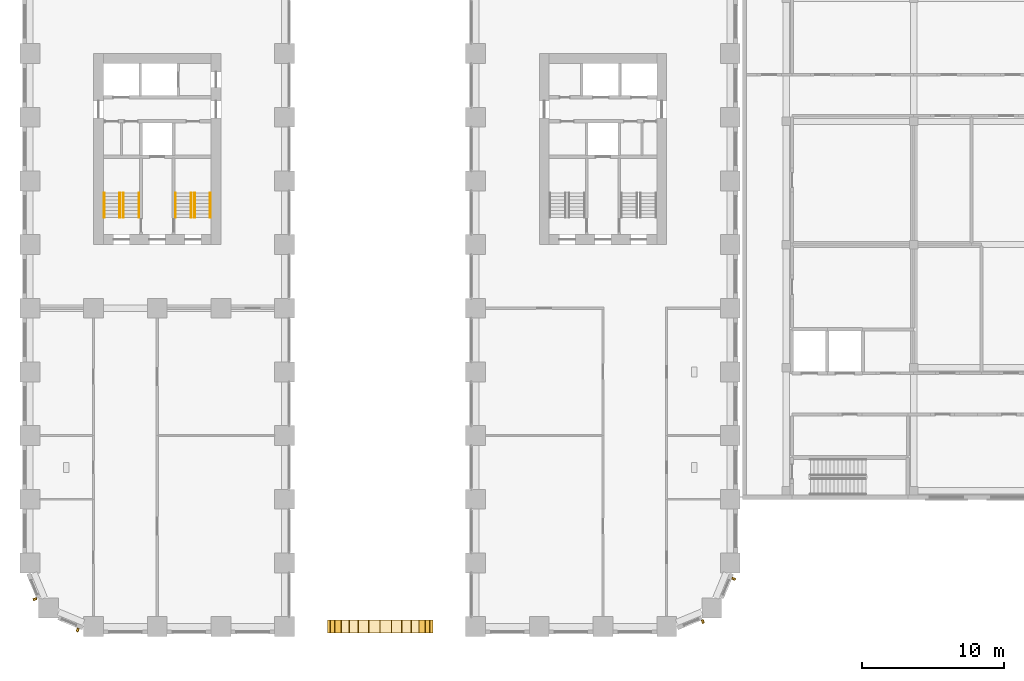
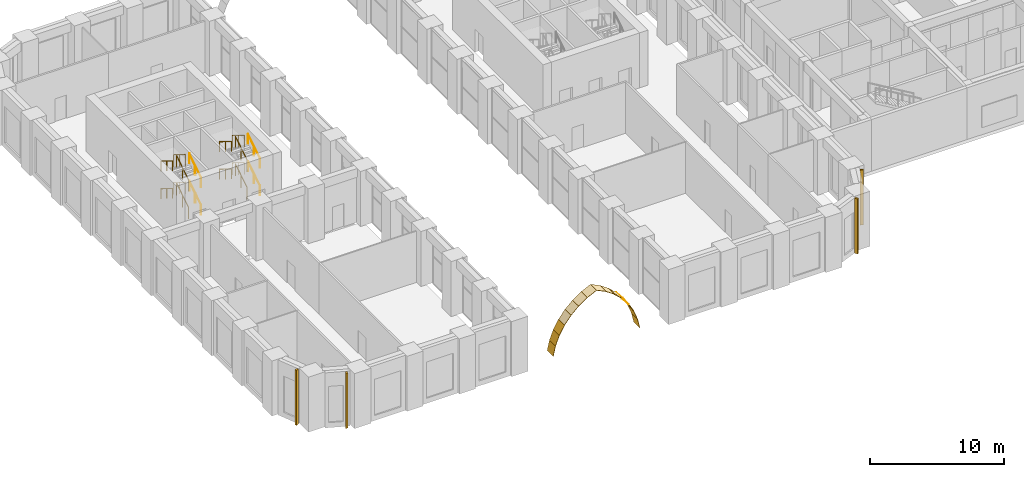
# One storey, part 18 of 24: 16 railings, 14 coverings, 4 shading devices.
"""IFC4 building model written with IfcOpenShell, lengths in metres."""

import ifcopenshell
import ifcopenshell.guid

model = None  # the IFC model being written
_history = None  # IfcOwnerHistory: only IFC2X3 demands one
_inside = {}  # id of a spatial element -> (the spatial element, [elements in it])
_under = {}  # id of a project, library or spatial element -> (it, [spatial elements below it])
_declared = {}  # id of a project -> (the project, [libraries it declares])
_typed = {}  # id of a type object -> (the type object, [elements of that type])
_made_of = {}  # id of a material, layer set ... -> (it, [elements and type objects made of it])


def new_model(schema):
    """Start an empty IFC model of exactly this schema.

    Asked for "IFC4X3", IfcOpenShell would pick the latest addendum, in which some entities
    have other attributes; the version numbers below select the first issue.
    IFC2X3 requires an IfcOwnerHistory on every rooted entity: one is made here for all.
    """
    global model, _history
    if schema == "IFC4X3":
        model = ifcopenshell.file(schema_version=(4, 3, 0, 0))
    else:
        model = ifcopenshell.file(schema=schema)
    _inside.clear()
    _under.clear()
    _declared.clear()
    _typed.clear()
    _made_of.clear()
    _history = None
    if model.schema == "IFC2X3":
        org = make("IfcOrganization", Name="unknown")
        user = make(
            "IfcPersonAndOrganization",
            ThePerson=make("IfcPerson", FamilyName="unknown"),
            TheOrganization=org,
        )
        app = make(
            "IfcApplication",
            ApplicationDeveloper=org,
            Version="unknown",
            ApplicationFullName="unknown",
            ApplicationIdentifier="unknown",
        )
        _history = make(
            "IfcOwnerHistory",
            OwningUser=user,
            OwningApplication=app,
            ChangeAction="ADDED",
            CreationDate=0,
        )
    return model


def make(cls, **values):
    """One entity of the class cls with the attributes given. An attribute that is None is left unset."""
    return model.create_entity(
        cls, **{name: value for name, value in values.items() if value is not None}
    )


def rooted(cls, **values):
    """An entity with a GlobalId (a new one), such as an element, a storey or a relation."""
    return make(cls, GlobalId=ifcopenshell.guid.new(), OwnerHistory=_history, **values)


def si_unit(unit_type, name, prefix=None):
    """IfcSIUnit, for example si_unit("LENGTHUNIT", "METRE", prefix="MILLI")."""
    return make("IfcSIUnit", UnitType=unit_type, Prefix=prefix, Name=name)


def assignment(units):
    """IfcUnitAssignment: the units of a project."""
    return None if units is None else make("IfcUnitAssignment", Units=units)


def point(xyz):
    """IfcCartesianPoint."""
    return None if xyz is None else make("IfcCartesianPoint", Coordinates=xyz)


def direction(xyz):
    """IfcDirection."""
    return None if xyz is None else make("IfcDirection", DirectionRatios=xyz)


def frame(location, z_axis=None, x_axis=None):
    """IfcAxis2Placement3D, a coordinate frame: its origin and axes. An axis left out is left unset."""
    return make(
        "IfcAxis2Placement3D",
        Location=point(location),
        Axis=direction(z_axis),
        RefDirection=direction(x_axis),
    )


def frame_2d(location, x_axis=None):
    """IfcAxis2Placement2D, a coordinate frame in the plane: its origin and x axis."""
    return make(
        "IfcAxis2Placement2D", Location=point(location), RefDirection=direction(x_axis)
    )


def origin():
    """The frame at (0, 0, 0) with its axes left unset."""
    return frame((0.0, 0.0, 0.0))


def origin_2d():
    """The frame at (0, 0) in the plane with its x axis left unset."""
    return frame_2d((0.0, 0.0))


def place(relative_to, where):
    """IfcLocalPlacement: puts the frame where relative to a parent placement (None: the world)."""
    return make(
        "IfcLocalPlacement", PlacementRelTo=relative_to, RelativePlacement=where
    )


def context(
    kind, dimensions, precision=None, world=None, true_north=None, identifier=None
):
    """IfcGeometricRepresentationContext, for example the 3D "Model" context."""
    return make(
        "IfcGeometricRepresentationContext",
        ContextIdentifier=identifier,
        ContextType=kind,
        CoordinateSpaceDimension=dimensions,
        Precision=precision,
        WorldCoordinateSystem=world,
        TrueNorth=true_north,
    )


def subcontext(parent, identifier, kind, view, scale=None):
    """IfcGeometricRepresentationSubContext, for example "Body" below "Model"."""
    return make(
        "IfcGeometricRepresentationSubContext",
        ContextIdentifier=identifier,
        ContextType=kind,
        ParentContext=parent,
        TargetScale=scale,
        TargetView=view,
    )


def project(units=None, contexts=None):
    """IfcProject with its units and contexts."""
    return rooted(
        "IfcProject",
        Name="project",
        RepresentationContexts=contexts,
        UnitsInContext=assignment(units),
    )


def spatial(cls, under=None, at=None, **own):
    """A site, building, storey or space (cls), placed at a placement, below another one or the project."""
    s = rooted(cls, ObjectPlacement=at, **own)
    if under is not None:
        _under.setdefault(under.id(), (under, []))[1].append(s)
    return s


def polyline(points):
    """IfcPolyline through the points."""
    return make("IfcPolyline", Points=[point(p) for p in points])


def profile(cls, at=None, kind="AREA", **sizes):
    """A parametric profile (cls). Its sizes go by their IFC names, for example OverallWidth=200.0."""
    return make(cls, ProfileType=kind, Position=at, **sizes)


def rectangle(**sizes):
    """IfcRectangleProfileDef."""
    return profile("IfcRectangleProfileDef", **sizes)


def circle(**sizes):
    """IfcCircleProfileDef."""
    return profile("IfcCircleProfileDef", **sizes)


def outline(outer, holes=None, kind="AREA"):
    """IfcArbitraryClosedProfileDef: a profile drawn as a closed curve; with holes, ...WithVoids."""
    if holes is None:
        return make("IfcArbitraryClosedProfileDef", ProfileType=kind, OuterCurve=outer)
    return make(
        "IfcArbitraryProfileDefWithVoids",
        ProfileType=kind,
        OuterCurve=outer,
        InnerCurves=holes,
    )


def extrude(swept, where, along, depth):
    """IfcExtrudedAreaSolid: the profile swept, set in the frame where, extruded along a direction by depth."""
    return make(
        "IfcExtrudedAreaSolid",
        SweptArea=swept,
        Position=where,
        ExtrudedDirection=direction(along),
        Depth=depth,
    )


def shape(context_of_items, identifier, shape_type, items):
    """IfcShapeRepresentation: the items that make up one representation, for example the "Body"."""
    return make(
        "IfcShapeRepresentation",
        ContextOfItems=context_of_items,
        RepresentationIdentifier=identifier,
        RepresentationType=shape_type,
        Items=items,
    )


def material(Name=None, Category=None):
    """IfcMaterial."""
    return make("IfcMaterial", Name=Name, Category=Category)


def layer(
    of_material, thickness, ventilated=None, Name=None, Category=None, Priority=None
):
    """IfcMaterialLayer: one layer of a wall or slab, of a material (None: an air gap)."""
    return make(
        "IfcMaterialLayer",
        Material=of_material,
        LayerThickness=thickness,
        IsVentilated=ventilated,
        Name=Name,
        Category=Category,
        Priority=Priority,
    )


def layer_set(layers, Name=None):
    """IfcMaterialLayerSet."""
    return make("IfcMaterialLayerSet", MaterialLayers=layers, LayerSetName=Name)


def made_of(thing, what):
    """Note that an element or type object is made of a material, layer set ...; save() writes the relation."""
    if what is not None:
        _made_of.setdefault(what.id(), (what, []))[1].append(thing)
    return thing


def type_object(cls, material=None, **own):
    """A type object (cls), such as IfcWallType, which elements share."""
    return made_of(rooted(cls, **own), material)


def element(
    cls,
    number,
    at=None,
    inside=None,
    cuts=None,
    type_object=None,
    material=None,
    context=None,
    identifier="Body",
    shape_type=None,
    held_by="IfcProductDefinitionShape",
    body=None,
    shapes=None,
    **own,
):
    """One element of the class cls, such as IfcWall. Its Tag is "e" and its number.

    at: its placement. inside: the storey or other place that contains it. cuts: it is an
    opening in that element (IfcRelVoidsElement). A single representation is given by context,
    identifier, shape_type and body (its items); several are given by shapes. held_by: the class
    of the entity that holds the representations. save() writes the other relations.
    """
    e = rooted(cls, Tag="e%d" % number, ObjectPlacement=at, **own)
    if body is not None:
        shapes = [shape(context, identifier, shape_type, body)]
    if shapes is not None:
        e.Representation = make(held_by, Representations=shapes)
    if inside is not None:
        _inside.setdefault(inside.id(), (inside, []))[1].append(e)
    if cuts is not None:
        rooted(
            "IfcRelVoidsElement", RelatingBuildingElement=cuts, RelatedOpeningElement=e
        )
    if type_object is not None:
        _typed.setdefault(type_object.id(), (type_object, []))[1].append(e)
    return made_of(e, material)


def aggregate(whole, parts):
    """IfcRelAggregates: a whole, such as a stair, and the parts it consists of."""
    return rooted("IfcRelAggregates", RelatingObject=whole, RelatedObjects=parts)


def save(model, path):
    """Write the relations noted so far, then the file.

    IfcRelAggregates (storeys below a building ...), IfcRelContainedInSpatialStructure (elements
    in a storey), IfcRelDefinesByType, IfcRelAssociatesMaterial and IfcRelDeclares: one each for
    every whole, place, type object, material and project.
    """
    for whole, parts in _under.values():
        aggregate(whole, parts)
    for where, things in _inside.values():
        rooted(
            "IfcRelContainedInSpatialStructure",
            RelatedElements=things,
            RelatingStructure=where,
        )
    for kind, things in _typed.values():
        rooted("IfcRelDefinesByType", RelatedObjects=things, RelatingType=kind)
    for what, things in _made_of.values():
        rooted("IfcRelAssociatesMaterial", RelatedObjects=things, RelatingMaterial=what)
    for by, libraries in _declared.values():
        rooted("IfcRelDeclares", RelatingContext=by, RelatedDefinitions=libraries)
    model.write(path)


model = new_model("IFC4")

# Units and contexts
model_context = context("Model", 3, precision=1e-05, world=origin(), true_north=direction((0.0, 1.0)))
body_context = subcontext(model_context, "Body", "Model", "MODEL_VIEW")
ifc_project = project(units=[si_unit("LENGTHUNIT", "METRE"), si_unit("AREAUNIT", "SQUARE_METRE"), si_unit("VOLUMEUNIT", "CUBIC_METRE"), si_unit("PLANEANGLEUNIT", "RADIAN"), si_unit("MASSUNIT", "GRAM", prefix="KILO")], contexts=[model_context])

# Site, building, storey
site_placement = place(None, origin())
site = spatial("IfcSite", under=ifc_project, at=site_placement, CompositionType="ELEMENT")
building_placement = place(site_placement, origin())
building = spatial("IfcBuilding", under=site, at=building_placement, Name="Girih Gate Residences", CompositionType="ELEMENT")
storey_placement = place(building_placement, frame((0.0, 0.0, 11.0)))
storey = spatial("IfcBuildingStorey", under=building, at=storey_placement, Name="L02", CompositionType="ELEMENT", Elevation=11.0)

# Shading devices
ifc_material_1 = material(Name="Precast concrete C50/60", Category="concrete")
shading_device_type = type_object("IfcShadingDeviceType", Name="Corner rib 150x250", PredefinedType="USERDEFINED", material=ifc_material_1)
for number, where, z_axis, x_axis, name in (
    (1, (0.35498046875, 1.9443359375, 0.0), (0.0, 0.0, 1.0), (0.382683432365, -0.923879532511, 0.0), "Corner rib SW0000_0045.0"),
    (2, (3.376220703125, -0.238037109375, 0.0), (0.0, 0.0, 1.0), (0.923879532511, -0.382683432365, 0.0), "Corner rib SW0013_0013.0"),
    (3, (47.5556640625, 0.35498046875, 0.0), (0.0, 0.0, 1.0), (0.923879532511, 0.382683432365, 0.0), "Corner rib SE0450_0000.0"),
    (4, (49.738037109375, 3.376220703125, 0.0), (0.0, 0.0, 1.0), (0.382683432365, 0.923879532511, 0.0), "Corner rib SE0482_0013.0"),
):
    element("IfcShadingDevice", number, at=place(storey_placement, frame(where, z_axis=z_axis, x_axis=x_axis)), inside=storey, type_object=shading_device_type, Name=name, ObjectType="FIN", PredefinedType="USERDEFINED", context=body_context, shape_type="SweptSolid", body=[
        extrude(rectangle(XDim=0.14990234375, YDim=0.25, at=origin_2d()), origin(), (0.0, 0.0, 1.0), 5.0),
    ])

# Coverings
ifc_material_2 = material(Name="Glazed ceramic tile")
ifc_layer_1 = layer(ifc_material_2, 0.010009765625, Name="Tile")
ifc_material_3 = material(Name="Tile adhesive mortar")
ifc_layer_2 = layer(ifc_material_3, 0.02001953125, Name="Adhesive bed")
ifc_layer_set = layer_set([ifc_layer_1, ifc_layer_2], Name="Glazed tile lining 30")
covering_type = type_object("IfcCoveringType", Name="Glazed tile lining 30", PredefinedType="CLADDING", material=ifc_layer_set)
covering_1_placement = place(storey_placement, frame((21.016845703125, -0.449951171875, 0.39501953125), z_axis=(-0.975106122569, 0.0, 0.221738696957), x_axis=(0.221738696957, 0.0, 0.975106122569)))
element("IfcCovering", 5, at=covering_1_placement, inside=storey, type_object=covering_type, Name="Glazed tile lining S arch 2", PredefinedType="CLADDING", context=body_context, shape_type="SweptSolid", body=[
    extrude(outline(polyline([(0.0, 0.0), (0.8973382278583332, 0.0), (0.8973382278583332, 0.8999023437500002), (0.0, 0.8999023437500002), (0.0, 0.0)])), origin(), (0.0, 0.0, -1.0), 0.030029296875),
])
covering_2_placement = place(storey_placement, frame((21.2158203125, -0.449951171875, 1.27001953125), z_axis=(-0.931375196354, 0.0, 0.364060769127), x_axis=(0.364060769127, 0.0, 0.931375196354)))
element("IfcCovering", 6, at=covering_2_placement, inside=storey, type_object=covering_type, Name="Glazed tile lining S arch 3", PredefinedType="CLADDING", context=body_context, shape_type="SweptSolid", body=[
    extrude(outline(polyline([(0.0, 0.0), (0.897268214406789, 0.0), (0.897268214406789, 0.89990234375), (0.0, 0.89990234375), (0.0, 0.0)])), origin(), (0.0, 0.0, -1.0), 0.030029296875),
])
covering_3_placement = place(storey_placement, frame((21.54248046875, -0.449951171875, 2.105712890625), z_axis=(-0.866968011661, 0.0, 0.498363789571), x_axis=(0.498363789571, 0.0, 0.866968011661)))
element("IfcCovering", 7, at=covering_3_placement, inside=storey, type_object=covering_type, Name="Glazed tile lining S arch 4", PredefinedType="CLADDING", context=body_context, shape_type="SweptSolid", body=[
    extrude(outline(polyline([(0.0, 0.0), (0.8974681434715636, 0.0), (0.8974681434715636, 0.89990234375), (0.0, 0.89990234375), (0.0, 0.0)])), origin(), (0.0, 0.0, -1.0), 0.030029296875),
])
covering_4_placement = place(storey_placement, frame((21.98974609375, -0.449951171875, 2.8837890625), z_axis=(-0.783383501858, 0.0, 0.621538646439), x_axis=(0.621538646439, 0.0, 0.783383501858)))
element("IfcCovering", 8, at=covering_4_placement, inside=storey, type_object=covering_type, Name="Glazed tile lining S arch 5", PredefinedType="CLADDING", context=body_context, shape_type="SweptSolid", body=[
    extrude(outline(polyline([(0.0, 0.0), (0.897548899527145, 0.0), (0.897548899527145, 0.89990234375), (0.0, 0.89990234375), (0.0, 0.0)])), origin(), (0.0, 0.0, -1.0), 0.030029296875),
])
covering_5_placement = place(storey_placement, frame((22.547607421875, -0.449951171875, 3.5869140625), z_axis=(-0.682473361972, 0.0, 0.730910466609), x_axis=(0.730910466609, 0.0, 0.682473361972)))
element("IfcCovering", 9, at=covering_5_placement, inside=storey, type_object=covering_type, Name="Glazed tile lining S arch 6", PredefinedType="CLADDING", context=body_context, shape_type="SweptSolid", body=[
    extrude(outline(polyline([(0.0, 0.0), (0.8971847424652444, 0.0), (0.8971847424652444, 0.89990234375), (0.0, 0.89990234375), (0.0, 0.0)])), origin(), (0.0, 0.0, -1.0), 0.030029296875),
])
covering_6_placement = place(storey_placement, frame((23.203369140625, -0.449951171875, 4.19921875), z_axis=(-0.566136198288, 0.0, 0.824311715911), x_axis=(0.824311715911, 0.0, 0.566136198288)))
element("IfcCovering", 10, at=covering_6_placement, inside=storey, type_object=covering_type, Name="Glazed tile lining S arch 7", PredefinedType="CLADDING", context=body_context, shape_type="SweptSolid", body=[
    extrude(outline(polyline([(0.0, 0.0), (0.8974106269158753, 0.0), (0.8974106269158753, 0.89990234375), (0.0, 0.89990234375), (0.0, 0.0)])), origin(), (0.0, 0.0, -1.0), 0.030029296875),
])
for number, where, z_axis, x_axis, name in (
    (11, (23.943115234375, -0.449951171875, 4.707275390625), (-0.437721356536, 0.0, 0.899110679523), (0.899110679523, 0.0, 0.437721356536), "Glazed tile lining S arch 8"),
    (12, (24.75, -0.449951171875, 5.10009765625), (0.437721356536, 0.0, 0.899110679523), (0.899110679523, 0.0, -0.437721356536), "Glazed tile lining S arch 9"),
):
    element("IfcCovering", number, at=place(storey_placement, frame(where, z_axis=z_axis, x_axis=x_axis)), inside=storey, type_object=covering_type, Name=name, PredefinedType="CLADDING", context=body_context, shape_type="SweptSolid", body=[
        extrude(outline(polyline([(0.0, 0.0), (0.8974254049047582, 0.0), (0.8974254049047582, 0.89990234375), (0.0, 0.89990234375), (0.0, 0.0)])), origin(), (0.0, 0.0, -1.0), 0.030029296875),
    ])
covering_7_placement = place(storey_placement, frame((25.556884765625, -0.449951171875, 4.707275390625), z_axis=(0.566136198288, 0.0, 0.824311715911), x_axis=(0.824311715911, 0.0, -0.566136198288)))
element("IfcCovering", 13, at=covering_7_placement, inside=storey, type_object=covering_type, Name="Glazed tile lining S arch 10", PredefinedType="CLADDING", context=body_context, shape_type="SweptSolid", body=[
    extrude(outline(polyline([(0.0, 0.0), (0.8974106269158753, 0.0), (0.8974106269158753, 0.89990234375), (0.0, 0.89990234375), (0.0, 0.0)])), origin(), (0.0, 0.0, -1.0), 0.030029296875),
])
covering_8_placement = place(storey_placement, frame((26.296630859375, -0.449951171875, 4.19921875), z_axis=(0.682473361972, 0.0, 0.730910466609), x_axis=(0.730910466609, 0.0, -0.682473361972)))
element("IfcCovering", 14, at=covering_8_placement, inside=storey, type_object=covering_type, Name="Glazed tile lining S arch 11", PredefinedType="CLADDING", context=body_context, shape_type="SweptSolid", body=[
    extrude(outline(polyline([(0.0, 0.0), (0.8971847424652444, 0.0), (0.8971847424652444, 0.89990234375), (0.0, 0.89990234375), (0.0, 0.0)])), origin(), (0.0, 0.0, -1.0), 0.030029296875),
])
covering_9_placement = place(storey_placement, frame((26.952392578125, -0.449951171875, 3.5869140625), z_axis=(0.783383501858, 0.0, 0.621538646439), x_axis=(0.621538646439, 0.0, -0.783383501858)))
element("IfcCovering", 15, at=covering_9_placement, inside=storey, type_object=covering_type, Name="Glazed tile lining S arch 12", PredefinedType="CLADDING", context=body_context, shape_type="SweptSolid", body=[
    extrude(outline(polyline([(0.0, 0.0), (0.897548899527145, 0.0), (0.897548899527145, 0.89990234375), (0.0, 0.89990234375), (0.0, 0.0)])), origin(), (0.0, 0.0, -1.0), 0.030029296875),
])
covering_10_placement = place(storey_placement, frame((27.51025390625, -0.449951171875, 2.8837890625), z_axis=(0.866968011661, 0.0, 0.498363789571), x_axis=(0.498363789571, 0.0, -0.866968011661)))
element("IfcCovering", 16, at=covering_10_placement, inside=storey, type_object=covering_type, Name="Glazed tile lining S arch 13", PredefinedType="CLADDING", context=body_context, shape_type="SweptSolid", body=[
    extrude(outline(polyline([(0.0, 0.0), (0.8974681434715636, 0.0), (0.8974681434715636, 0.89990234375), (0.0, 0.89990234375), (0.0, 0.0)])), origin(), (0.0, 0.0, -1.0), 0.030029296875),
])
covering_11_placement = place(storey_placement, frame((27.95751953125, -0.449951171875, 2.105712890625), z_axis=(0.931375196354, 0.0, 0.364060769127), x_axis=(0.364060769127, 0.0, -0.931375196354)))
element("IfcCovering", 17, at=covering_11_placement, inside=storey, type_object=covering_type, Name="Glazed tile lining S arch 14", PredefinedType="CLADDING", context=body_context, shape_type="SweptSolid", body=[
    extrude(outline(polyline([(0.0, 0.0), (0.897268214406789, 0.0), (0.897268214406789, 0.89990234375), (0.0, 0.89990234375), (0.0, 0.0)])), origin(), (0.0, 0.0, -1.0), 0.030029296875),
])
covering_12_placement = place(storey_placement, frame((28.2841796875, -0.449951171875, 1.27001953125), z_axis=(0.975106122569, 0.0, 0.221738696957), x_axis=(0.221738696957, 0.0, -0.975106122569)))
element("IfcCovering", 18, at=covering_12_placement, inside=storey, type_object=covering_type, Name="Glazed tile lining S arch 15", PredefinedType="CLADDING", context=body_context, shape_type="SweptSolid", body=[
    extrude(outline(polyline([(0.0, 0.0), (0.8973382278583332, 0.0), (0.8973382278583332, 0.8999023437500002), (0.0, 0.8999023437500002), (0.0, 0.0)])), origin(), (0.0, 0.0, -1.0), 0.030029296875),
])

# Railings
ifc_material_4 = material(Name="Stainless steel", Category="steel")
railing_type_1 = type_object("IfcRailingType", Name="Stair guard 1100", PredefinedType="GUARDRAIL", material=ifc_material_4)
railing_1_placement = place(storey_placement, frame((6.60009765625, 28.89990234375, 0.15625)))
element("IfcRailing", 19, at=railing_1_placement, inside=storey, type_object=railing_type_1, Name="L02 ST-W1 stair guard 1", PredefinedType="GUARDRAIL", context=body_context, shape_type="SweptSolid", body=[
    extrude(circle(Radius=0.02392578125, at=origin_2d()), frame((0.0, 0.0, 1.076171875), z_axis=(0.0, 0.847998304005, 0.529998940003), x_axis=(-1.0, 0.0, 0.0)), (0.0, 0.0, 1.0), 2.063720703125),
    extrude(circle(Radius=0.02099609375, at=origin_2d()), origin(), (0.0, 0.0, 1.0), 1.052001953125),
    extrude(circle(Radius=0.02099609375, at=origin_2d()), frame((0.0, 0.875, 0.546875)), (0.0, 0.0, 1.0), 1.052001953125),
    extrude(circle(Radius=0.02099609375, at=origin_2d()), frame((0.0, 1.75, 1.09375)), (0.0, 0.0, 1.0), 1.052001953125),
])
railing_2_placement = place(storey_placement, frame((6.35009765625, 30.64990234375, 1.40625)))
element("IfcRailing", 20, at=railing_2_placement, inside=storey, type_object=railing_type_1, Name="L02 ST-W1 stair guard 2", PredefinedType="GUARDRAIL", context=body_context, shape_type="SweptSolid", body=[
    extrude(circle(Radius=0.02392578125, at=origin_2d()), frame((0.0, 0.0, 1.076171875), z_axis=(0.0, -0.847998304005, 0.529998940003), x_axis=(1.0, 0.0, 0.0)), (0.0, 0.0, 1.0), 2.063720703125),
    extrude(circle(Radius=0.02099609375, at=origin_2d()), origin(), (0.0, 0.0, 1.0), 1.052001953125),
    extrude(circle(Radius=0.02099609375, at=origin_2d()), frame((0.0, -0.875, 0.546875)), (0.0, 0.0, 1.0), 1.052001953125),
    extrude(circle(Radius=0.02099609375, at=origin_2d()), frame((0.0, -1.75, 1.09375)), (0.0, 0.0, 1.0), 1.052001953125),
])
railing_3_placement = place(storey_placement, frame((6.60009765625, 28.89990234375, 2.65625)))
element("IfcRailing", 21, at=railing_3_placement, inside=storey, type_object=railing_type_1, Name="L02 ST-W1 stair guard 3", PredefinedType="GUARDRAIL", context=body_context, shape_type="SweptSolid", body=[
    extrude(circle(Radius=0.02392578125, at=origin_2d()), frame((0.0, 0.0, 1.076171875), z_axis=(0.0, 0.847998304005, 0.529998940003), x_axis=(-1.0, 0.0, 0.0)), (0.0, 0.0, 1.0), 2.063720703125),
    extrude(circle(Radius=0.02099609375, at=origin_2d()), origin(), (0.0, 0.0, 1.0), 1.052001953125),
    extrude(circle(Radius=0.02099609375, at=origin_2d()), frame((0.0, 0.875, 0.546875)), (0.0, 0.0, 1.0), 1.052001953125),
    extrude(circle(Radius=0.02099609375, at=origin_2d()), frame((0.0, 1.75, 1.09375)), (0.0, 0.0, 1.0), 1.052001953125),
])
railing_4_placement = place(storey_placement, frame((6.35009765625, 30.64990234375, 3.90625)))
element("IfcRailing", 22, at=railing_4_placement, inside=storey, type_object=railing_type_1, Name="L02 ST-W1 stair guard 4", PredefinedType="GUARDRAIL", context=body_context, shape_type="SweptSolid", body=[
    extrude(circle(Radius=0.02392578125, at=origin_2d()), frame((0.0, 0.0, 1.076171875), z_axis=(0.0, -0.847998304005, 0.529998940003), x_axis=(1.0, 0.0, 0.0)), (0.0, 0.0, 1.0), 2.063720703125),
    extrude(circle(Radius=0.02099609375, at=origin_2d()), origin(), (0.0, 0.0, 1.0), 1.052001953125),
    extrude(circle(Radius=0.02099609375, at=origin_2d()), frame((0.0, -0.875, 0.546875)), (0.0, 0.0, 1.0), 1.052001953125),
    extrude(circle(Radius=0.02099609375, at=origin_2d()), frame((0.0, -1.75, 1.09375)), (0.0, 0.0, 1.0), 1.052001953125),
])
railing_5_placement = place(storey_placement, frame((11.64990234375, 28.89990234375, 0.15625)))
element("IfcRailing", 23, at=railing_5_placement, inside=storey, type_object=railing_type_1, Name="L02 ST-W2 stair guard 1", PredefinedType="GUARDRAIL", context=body_context, shape_type="SweptSolid", body=[
    extrude(circle(Radius=0.02392578125, at=origin_2d()), frame((0.0, 0.0, 1.076171875), z_axis=(0.0, 0.847998304005, 0.529998940003), x_axis=(-1.0, 0.0, 0.0)), (0.0, 0.0, 1.0), 2.063720703125),
    extrude(circle(Radius=0.02099609375, at=origin_2d()), origin(), (0.0, 0.0, 1.0), 1.052001953125),
    extrude(circle(Radius=0.02099609375, at=origin_2d()), frame((0.0, 0.875, 0.546875)), (0.0, 0.0, 1.0), 1.052001953125),
    extrude(circle(Radius=0.02099609375, at=origin_2d()), frame((0.0, 1.75, 1.09375)), (0.0, 0.0, 1.0), 1.052001953125),
])
railing_6_placement = place(storey_placement, frame((11.39990234375, 30.64990234375, 1.40625)))
element("IfcRailing", 24, at=railing_6_placement, inside=storey, type_object=railing_type_1, Name="L02 ST-W2 stair guard 2", PredefinedType="GUARDRAIL", context=body_context, shape_type="SweptSolid", body=[
    extrude(circle(Radius=0.02392578125, at=origin_2d()), frame((0.0, 0.0, 1.076171875), z_axis=(0.0, -0.847998304005, 0.529998940003), x_axis=(1.0, 0.0, 0.0)), (0.0, 0.0, 1.0), 2.063720703125),
    extrude(circle(Radius=0.02099609375, at=origin_2d()), origin(), (0.0, 0.0, 1.0), 1.052001953125),
    extrude(circle(Radius=0.02099609375, at=origin_2d()), frame((0.0, -0.875, 0.546875)), (0.0, 0.0, 1.0), 1.052001953125),
    extrude(circle(Radius=0.02099609375, at=origin_2d()), frame((0.0, -1.75, 1.09375)), (0.0, 0.0, 1.0), 1.052001953125),
])
railing_7_placement = place(storey_placement, frame((11.64990234375, 28.89990234375, 2.65625)))
element("IfcRailing", 25, at=railing_7_placement, inside=storey, type_object=railing_type_1, Name="L02 ST-W2 stair guard 3", PredefinedType="GUARDRAIL", context=body_context, shape_type="SweptSolid", body=[
    extrude(circle(Radius=0.02392578125, at=origin_2d()), frame((0.0, 0.0, 1.076171875), z_axis=(0.0, 0.847998304005, 0.529998940003), x_axis=(-1.0, 0.0, 0.0)), (0.0, 0.0, 1.0), 2.063720703125),
    extrude(circle(Radius=0.02099609375, at=origin_2d()), origin(), (0.0, 0.0, 1.0), 1.052001953125),
    extrude(circle(Radius=0.02099609375, at=origin_2d()), frame((0.0, 0.875, 0.546875)), (0.0, 0.0, 1.0), 1.052001953125),
    extrude(circle(Radius=0.02099609375, at=origin_2d()), frame((0.0, 1.75, 1.09375)), (0.0, 0.0, 1.0), 1.052001953125),
])
railing_8_placement = place(storey_placement, frame((11.39990234375, 30.64990234375, 3.90625)))
element("IfcRailing", 26, at=railing_8_placement, inside=storey, type_object=railing_type_1, Name="L02 ST-W2 stair guard 4", PredefinedType="GUARDRAIL", context=body_context, shape_type="SweptSolid", body=[
    extrude(circle(Radius=0.02392578125, at=origin_2d()), frame((0.0, 0.0, 1.076171875), z_axis=(0.0, -0.847998304005, 0.529998940003), x_axis=(1.0, 0.0, 0.0)), (0.0, 0.0, 1.0), 2.063720703125),
    extrude(circle(Radius=0.02099609375, at=origin_2d()), origin(), (0.0, 0.0, 1.0), 1.052001953125),
    extrude(circle(Radius=0.02099609375, at=origin_2d()), frame((0.0, -0.875, 0.546875)), (0.0, 0.0, 1.0), 1.052001953125),
    extrude(circle(Radius=0.02099609375, at=origin_2d()), frame((0.0, -1.75, 1.09375)), (0.0, 0.0, 1.0), 1.052001953125),
])
railing_type_2 = type_object("IfcRailingType", Name="Stair handrail 900", PredefinedType="HANDRAIL", material=ifc_material_4)
railing_9_placement = place(storey_placement, frame((7.699951171875, 28.89990234375, 0.15625)))
element("IfcRailing", 27, at=railing_9_placement, inside=storey, type_object=railing_type_2, Name="L02 ST-W1 stair handrail 1", PredefinedType="HANDRAIL", context=body_context, shape_type="SweptSolid", body=[
    extrude(circle(Radius=0.02392578125, at=origin_2d()), frame((0.0, 0.0, 0.8857421875), z_axis=(0.0, 0.847998304005, 0.529998940003), x_axis=(-1.0, 0.0, 0.0)), (0.0, 0.0, 1.0), 2.063720703125),
    extrude(circle(Radius=0.02099609375, at=origin_2d()), origin(), (0.0, 0.0, 1.0), 0.86181640625),
    extrude(circle(Radius=0.02099609375, at=origin_2d()), frame((0.0, 0.875, 0.546875)), (0.0, 0.0, 1.0), 0.86181640625),
    extrude(circle(Radius=0.02099609375, at=origin_2d()), frame((0.0, 1.75, 1.09375)), (0.0, 0.0, 1.0), 0.86181640625),
])
railing_10_placement = place(storey_placement, frame((5.25, 30.64990234375, 1.40625)))
element("IfcRailing", 28, at=railing_10_placement, inside=storey, type_object=railing_type_2, Name="L02 ST-W1 stair handrail 2", PredefinedType="HANDRAIL", context=body_context, shape_type="SweptSolid", body=[
    extrude(circle(Radius=0.02392578125, at=origin_2d()), frame((0.0, 0.0, 0.8857421875), z_axis=(0.0, -0.847998304005, 0.529998940003), x_axis=(1.0, 0.0, 0.0)), (0.0, 0.0, 1.0), 2.063720703125),
    extrude(circle(Radius=0.02099609375, at=origin_2d()), origin(), (0.0, 0.0, 1.0), 0.86181640625),
    extrude(circle(Radius=0.02099609375, at=origin_2d()), frame((0.0, -0.875, 0.546875)), (0.0, 0.0, 1.0), 0.86181640625),
    extrude(circle(Radius=0.02099609375, at=origin_2d()), frame((0.0, -1.75, 1.09375)), (0.0, 0.0, 1.0), 0.86181640625),
])
railing_11_placement = place(storey_placement, frame((7.699951171875, 28.89990234375, 2.65625)))
element("IfcRailing", 29, at=railing_11_placement, inside=storey, type_object=railing_type_2, Name="L02 ST-W1 stair handrail 3", PredefinedType="HANDRAIL", context=body_context, shape_type="SweptSolid", body=[
    extrude(circle(Radius=0.02392578125, at=origin_2d()), frame((0.0, 0.0, 0.8857421875), z_axis=(0.0, 0.847998304005, 0.529998940003), x_axis=(-1.0, 0.0, 0.0)), (0.0, 0.0, 1.0), 2.063720703125),
    extrude(circle(Radius=0.02099609375, at=origin_2d()), origin(), (0.0, 0.0, 1.0), 0.86181640625),
    extrude(circle(Radius=0.02099609375, at=origin_2d()), frame((0.0, 0.875, 0.546875)), (0.0, 0.0, 1.0), 0.86181640625),
    extrude(circle(Radius=0.02099609375, at=origin_2d()), frame((0.0, 1.75, 1.09375)), (0.0, 0.0, 1.0), 0.86181640625),
])
railing_12_placement = place(storey_placement, frame((5.25, 30.64990234375, 3.90625)))
element("IfcRailing", 30, at=railing_12_placement, inside=storey, type_object=railing_type_2, Name="L02 ST-W1 stair handrail 4", PredefinedType="HANDRAIL", context=body_context, shape_type="SweptSolid", body=[
    extrude(circle(Radius=0.02392578125, at=origin_2d()), frame((0.0, 0.0, 0.8857421875), z_axis=(0.0, -0.847998304005, 0.529998940003), x_axis=(1.0, 0.0, 0.0)), (0.0, 0.0, 1.0), 2.063720703125),
    extrude(circle(Radius=0.02099609375, at=origin_2d()), origin(), (0.0, 0.0, 1.0), 0.86181640625),
    extrude(circle(Radius=0.02099609375, at=origin_2d()), frame((0.0, -0.875, 0.546875)), (0.0, 0.0, 1.0), 0.86181640625),
    extrude(circle(Radius=0.02099609375, at=origin_2d()), frame((0.0, -1.75, 1.09375)), (0.0, 0.0, 1.0), 0.86181640625),
])
railing_13_placement = place(storey_placement, frame((12.75, 28.89990234375, 0.15625)))
element("IfcRailing", 31, at=railing_13_placement, inside=storey, type_object=railing_type_2, Name="L02 ST-W2 stair handrail 1", PredefinedType="HANDRAIL", context=body_context, shape_type="SweptSolid", body=[
    extrude(circle(Radius=0.02392578125, at=origin_2d()), frame((0.0, 0.0, 0.8857421875), z_axis=(0.0, 0.847998304005, 0.529998940003), x_axis=(-1.0, 0.0, 0.0)), (0.0, 0.0, 1.0), 2.063720703125),
    extrude(circle(Radius=0.02099609375, at=origin_2d()), origin(), (0.0, 0.0, 1.0), 0.86181640625),
    extrude(circle(Radius=0.02099609375, at=origin_2d()), frame((0.0, 0.875, 0.546875)), (0.0, 0.0, 1.0), 0.86181640625),
    extrude(circle(Radius=0.02099609375, at=origin_2d()), frame((0.0, 1.75, 1.09375)), (0.0, 0.0, 1.0), 0.86181640625),
])
railing_14_placement = place(storey_placement, frame((10.300048828125, 30.64990234375, 1.40625)))
element("IfcRailing", 32, at=railing_14_placement, inside=storey, type_object=railing_type_2, Name="L02 ST-W2 stair handrail 2", PredefinedType="HANDRAIL", context=body_context, shape_type="SweptSolid", body=[
    extrude(circle(Radius=0.02392578125, at=origin_2d()), frame((0.0, 0.0, 0.8857421875), z_axis=(0.0, -0.847998304005, 0.529998940003), x_axis=(1.0, 0.0, 0.0)), (0.0, 0.0, 1.0), 2.063720703125),
    extrude(circle(Radius=0.02099609375, at=origin_2d()), origin(), (0.0, 0.0, 1.0), 0.86181640625),
    extrude(circle(Radius=0.02099609375, at=origin_2d()), frame((0.0, -0.875, 0.546875)), (0.0, 0.0, 1.0), 0.86181640625),
    extrude(circle(Radius=0.02099609375, at=origin_2d()), frame((0.0, -1.75, 1.09375)), (0.0, 0.0, 1.0), 0.86181640625),
])
railing_15_placement = place(storey_placement, frame((12.75, 28.89990234375, 2.65625)))
element("IfcRailing", 33, at=railing_15_placement, inside=storey, type_object=railing_type_2, Name="L02 ST-W2 stair handrail 3", PredefinedType="HANDRAIL", context=body_context, shape_type="SweptSolid", body=[
    extrude(circle(Radius=0.02392578125, at=origin_2d()), frame((0.0, 0.0, 0.8857421875), z_axis=(0.0, 0.847998304005, 0.529998940003), x_axis=(-1.0, 0.0, 0.0)), (0.0, 0.0, 1.0), 2.063720703125),
    extrude(circle(Radius=0.02099609375, at=origin_2d()), origin(), (0.0, 0.0, 1.0), 0.86181640625),
    extrude(circle(Radius=0.02099609375, at=origin_2d()), frame((0.0, 0.875, 0.546875)), (0.0, 0.0, 1.0), 0.86181640625),
    extrude(circle(Radius=0.02099609375, at=origin_2d()), frame((0.0, 1.75, 1.09375)), (0.0, 0.0, 1.0), 0.86181640625),
])
railing_16_placement = place(storey_placement, frame((10.300048828125, 30.64990234375, 3.90625)))
element("IfcRailing", 34, at=railing_16_placement, inside=storey, type_object=railing_type_2, Name="L02 ST-W2 stair handrail 4", PredefinedType="HANDRAIL", context=body_context, shape_type="SweptSolid", body=[
    extrude(circle(Radius=0.02392578125, at=origin_2d()), frame((0.0, 0.0, 0.8857421875), z_axis=(0.0, -0.847998304005, 0.529998940003), x_axis=(1.0, 0.0, 0.0)), (0.0, 0.0, 1.0), 2.063720703125),
    extrude(circle(Radius=0.02099609375, at=origin_2d()), origin(), (0.0, 0.0, 1.0), 0.86181640625),
    extrude(circle(Radius=0.02099609375, at=origin_2d()), frame((0.0, -0.875, 0.546875)), (0.0, 0.0, 1.0), 0.86181640625),
    extrude(circle(Radius=0.02099609375, at=origin_2d()), frame((0.0, -1.75, 1.09375)), (0.0, 0.0, 1.0), 0.86181640625),
])

save(model, "model.ifc")
